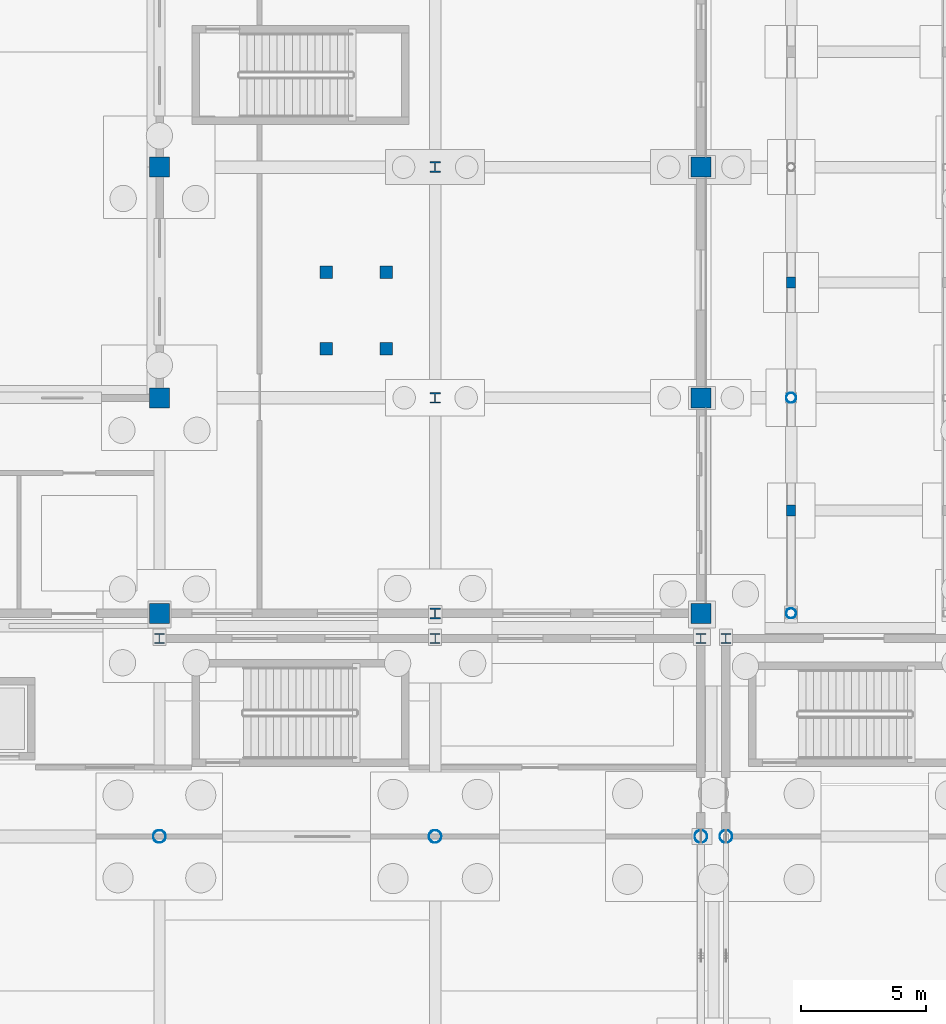
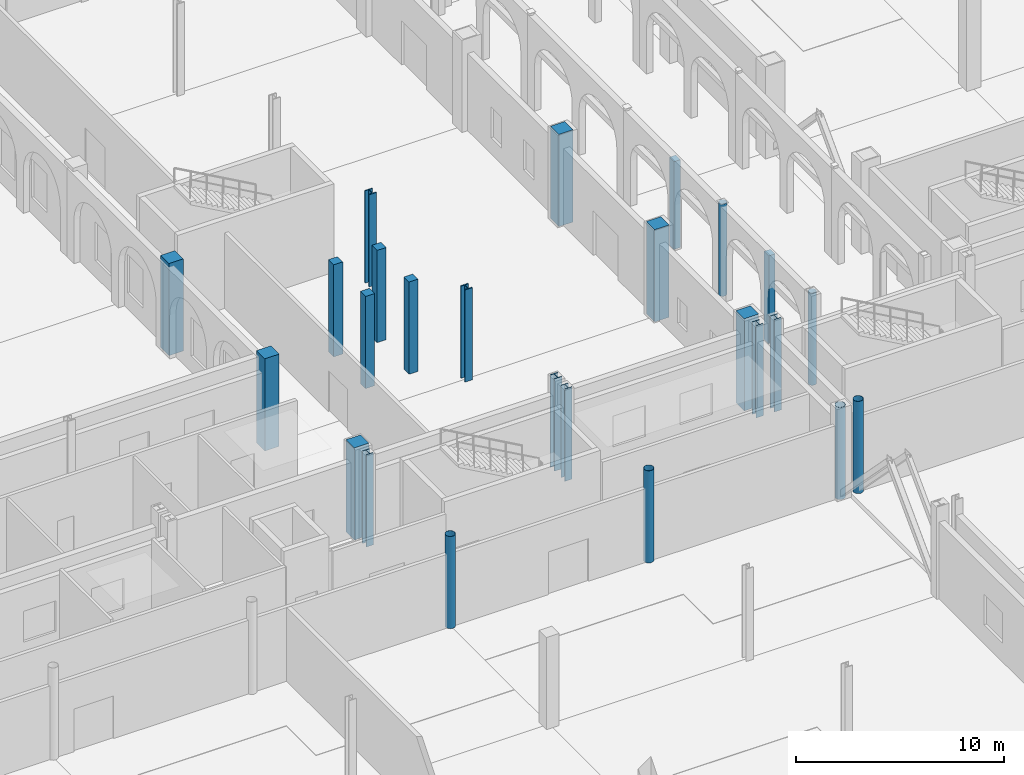
# One storey, part 22 of 83: 25 columns.
"""IFC4 building model written with IfcOpenShell, lengths in metres."""

from ifc_helpers import new_model, si_unit, direction, frame, origin, origin_2d, place, context, subcontext, project, spatial, rectangle, hollow_circle, i_section, extrude, material, material_profile, profile_set, type_object, element, save


model = new_model("IFC4")

# Units and contexts
model_context = context("Model", 3, precision=1e-05, world=origin(), true_north=direction((0.0, 1.0)))
body_context = subcontext(model_context, "Body", "Model", "MODEL_VIEW")
ifc_project = project(units=[si_unit("LENGTHUNIT", "METRE"), si_unit("AREAUNIT", "SQUARE_METRE"), si_unit("VOLUMEUNIT", "CUBIC_METRE"), si_unit("PLANEANGLEUNIT", "RADIAN"), si_unit("MASSUNIT", "GRAM", prefix="KILO")], contexts=[model_context])

# Site, building, storey
site_placement = place(None, origin())
site = spatial("IfcSite", under=ifc_project, at=site_placement, CompositionType="ELEMENT")
building_placement = place(site_placement, origin())
building = spatial("IfcBuilding", under=site, at=building_placement, Name="Caurita Quay Ferry Terminal", CompositionType="ELEMENT")
storey_placement = place(building_placement, origin())
storey = spatial("IfcBuildingStorey", under=building, at=storey_placement, Name="L00", CompositionType="ELEMENT", Elevation=0.0)

# Columns
ifc_material_1 = material(Name="Hollow structural steel ASTM A500 Gr. C", Category="steel")
ifc_material_profile_1 = material_profile(ifc_material_1, hollow_circle(Radius=0.25390625, WallThickness=0.01171875, at=origin_2d()), Name="HSS20.000X0.500")
ifc_profile_set_1 = profile_set([ifc_material_profile_1], Name="Hollow structural steel ASTM A500 Gr. C")
column_type_1 = type_object("IfcColumnType", Name="COL-MST-01", PredefinedType="COLUMN", material=ifc_profile_set_1)
for number, where, z_axis, x_axis, name in (
    (1, (66.0, 62.699951171875, 0.0), (0.0, 0.0, 1.0), (1.0, 0.0, 0.0), "L00 Column V1-MST-07-N"),
    (2, (77.0, 62.699951171875, 0.0), (0.0, 0.0, 1.0), (1.0, 0.0, 0.0), "L00 Column V1-MST-08-N"),
    (3, (87.60009765625, 62.699951171875, 0.0), (0.0, 0.0, 1.0), (1.0, 0.0, 0.0), "L00 Column V1-MST-09-N"),
    (4, (88.60009765625, 62.699951171875, 0.0), (0.0, 0.0, 1.0), (1.0, 0.0, 0.0), "L00 Column V2-MST-10-N"),
):
    element("IfcColumn", number, at=place(storey_placement, frame(where, z_axis=z_axis, x_axis=x_axis)), inside=storey, type_object=column_type_1, Name=name, PredefinedType="COLUMN", context=body_context, shape_type="SweptSolid", body=[
        extrude(hollow_circle(Radius=0.25390625, WallThickness=0.01171875, at=origin_2d()), origin(), (0.0, 0.0, 1.0), 5.39990234375),
    ])
ifc_material_profile_2 = material_profile(ifc_material_1, hollow_circle(Radius=0.203125, WallThickness=0.01171875, at=origin_2d()), Name="HSS16.000X0.500")
ifc_profile_set_2 = profile_set([ifc_material_profile_2], Name="Hollow structural steel ASTM A500 Gr. C")
column_type_2 = type_object("IfcColumnType", Name="COL-MST-02", PredefinedType="COLUMN", material=ifc_profile_set_2)
for number, where, z_axis, x_axis, name in (
    (5, (91.199951171875, 71.60009765625, 0.0), (0.0, 0.0, 1.0), (1.0, 0.0, 0.0), "L00 Column V6-W-L"),
    (6, (91.199951171875, 80.199951171875, 0.0), (0.0, 0.0, 1.0), (1.0, 0.0, 0.0), "L00 Column V6-W-M"),
):
    element("IfcColumn", number, at=place(storey_placement, frame(where, z_axis=z_axis, x_axis=x_axis)), inside=storey, type_object=column_type_2, Name=name, PredefinedType="COLUMN", context=body_context, shape_type="SweptSolid", body=[
        extrude(hollow_circle(Radius=0.203125, WallThickness=0.01171875, at=origin_2d()), origin(), (0.0, 0.0, 1.0), 5.39990234375),
    ])
ifc_material_2 = material(Name="Reinforced concrete C35/45", Category="concrete")
ifc_material_profile_3 = material_profile(ifc_material_2, rectangle(XDim=0.5, YDim=0.5, at=origin_2d()), Name="RC-COL-500X500")
ifc_profile_set_3 = profile_set([ifc_material_profile_3], Name="Reinforced concrete C35/45")
column_type_3 = type_object("IfcColumnType", Name="COL-RC-500", PredefinedType="COLUMN", material=ifc_profile_set_3)
for number, where, z_axis, x_axis, name in (
    (7, (72.64990234375, 82.14990234375, 0.0), (0.0, 0.0, 1.0), (1.0, 0.0, 0.0), "L00 Promenade Stair ST-14 Column SW"),
    (8, (72.64990234375, 85.2099609375, 0.0), (0.0, 0.0, 1.0), (1.0, 0.0, 0.0), "L00 Promenade Stair ST-14 Column NW"),
    (9, (75.050048828125, 82.14990234375, 0.0), (0.0, 0.0, 1.0), (1.0, 0.0, 0.0), "L00 Promenade Stair ST-14 Column SE"),
    (10, (75.050048828125, 85.2099609375, 0.0), (0.0, 0.0, 1.0), (1.0, 0.0, 0.0), "L00 Promenade Stair ST-14 Column NE"),
):
    element("IfcColumn", number, at=place(storey_placement, frame(where, z_axis=z_axis, x_axis=x_axis)), inside=storey, type_object=column_type_3, Name=name, PredefinedType="COLUMN", context=body_context, shape_type="SweptSolid", body=[
        extrude(rectangle(XDim=0.5, YDim=0.5, at=origin_2d()), origin(), (0.0, 0.0, 1.0), 5.39990234375),
    ])
ifc_material_3 = material(Name="Marine reinforced concrete C40/50", Category="concrete")
ifc_material_profile_4 = material_profile(ifc_material_3, rectangle(XDim=0.800048828125, YDim=0.800048828125, at=origin_2d()), Name="RC-COL-800X800")
ifc_profile_set_4 = profile_set([ifc_material_profile_4], Name="Marine reinforced concrete C40/50")
column_type_4 = type_object("IfcColumnType", Name="COL-RC-800", PredefinedType="COLUMN", material=ifc_profile_set_4)
for number, where, z_axis, x_axis, name in (
    (11, (66.0, 71.60009765625, 0.0), (0.0, 0.0, 1.0), (1.0, 0.0, 0.0), "L00 Column V5-07-L"),
    (12, (66.0, 80.199951171875, 0.0), (0.0, 0.0, 1.0), (1.0, 0.0, 0.0), "L00 Column V5-07-M"),
    (13, (66.0, 89.39990234375, 0.0), (0.0, 0.0, 1.0), (1.0, 0.0, 0.0), "L00 Column V5-07-N"),
    (14, (87.60009765625, 71.60009765625, 0.0), (0.0, 0.0, 1.0), (1.0, 0.0, 0.0), "L00 Column V5-09-L"),
    (15, (87.60009765625, 80.199951171875, 0.0), (0.0, 0.0, 1.0), (1.0, 0.0, 0.0), "L00 Column V5-09-M"),
    (16, (87.60009765625, 89.39990234375, 0.0), (0.0, 0.0, 1.0), (1.0, 0.0, 0.0), "L00 Column V5-09-N"),
):
    element("IfcColumn", number, at=place(storey_placement, frame(where, z_axis=z_axis, x_axis=x_axis)), inside=storey, type_object=column_type_4, Name=name, PredefinedType="COLUMN", context=body_context, shape_type="SweptSolid", body=[
        extrude(rectangle(XDim=0.800048828125, YDim=0.800048828125, at=origin_2d()), origin(), (0.0, 0.0, 1.0), 5.39990234375),
    ])
ifc_material_4 = material(Name="Structural steel ASTM A992 Gr. 50", Category="steel")
ifc_material_profile_5 = material_profile(ifc_material_4, i_section(OverallWidth=0.410888671875, OverallDepth=0.43408203125, WebThickness=0.035888671875, FlangeThickness=0.057373046875, at=origin_2d()), Name="W14X311")
ifc_profile_set_5 = profile_set([ifc_material_profile_5], Name="Structural steel ASTM A992 Gr. 50")
column_type_5 = type_object("IfcColumnType", Name="COL-STL-01", PredefinedType="COLUMN", material=ifc_profile_set_5)
for number, where, z_axis, x_axis, name in (
    (17, (77.0, 71.60009765625, 0.0), (0.0, 0.0, 1.0), (1.0, 0.0, 0.0), "L00 Column V5-08-L"),
    (18, (77.0, 80.199951171875, 0.0), (0.0, 0.0, 1.0), (1.0, 0.0, 0.0), "L00 Column V5-08-M"),
    (19, (77.0, 89.39990234375, 0.0), (0.0, 0.0, 1.0), (1.0, 0.0, 0.0), "L00 Column V5-08-N"),
):
    element("IfcColumn", number, at=place(storey_placement, frame(where, z_axis=z_axis, x_axis=x_axis)), inside=storey, type_object=column_type_5, Name=name, PredefinedType="COLUMN", context=body_context, shape_type="SweptSolid", body=[
        extrude(i_section(OverallWidth=0.410888671875, OverallDepth=0.43408203125, WebThickness=0.035888671875, FlangeThickness=0.057373046875, at=origin_2d()), origin(), (0.0, 0.0, 1.0), 5.39990234375),
    ])
ifc_material_profile_6 = material_profile(ifc_material_4, i_section(OverallWidth=0.398681640625, OverallDepth=0.393798828125, WebThickness=0.022705078125, FlangeThickness=0.03662109375, FilletRadius=0.017822265625, at=origin_2d()), Name="W14X193")
ifc_profile_set_6 = profile_set([ifc_material_profile_6], Name="Structural steel ASTM A992 Gr. 50")
column_type_6 = type_object("IfcColumnType", Name="COL-STL-04", PredefinedType="COLUMN", material=ifc_profile_set_6)
for number, where, z_axis, x_axis, name in (
    (20, (66.0, 70.60009765625, 0.0), (0.0, 0.0, 1.0), (1.0, 0.0, 0.0), "L00 Column V1-NTH-07-K"),
    (21, (77.0, 70.60009765625, 0.0), (0.0, 0.0, 1.0), (1.0, 0.0, 0.0), "L00 Column V1-NTH-08-K"),
    (22, (87.60009765625, 70.60009765625, 0.0), (0.0, 0.0, 1.0), (1.0, 0.0, 0.0), "L00 Column V1-NTH-09-K"),
    (23, (88.60009765625, 70.60009765625, 0.0), (0.0, 0.0, 1.0), (1.0, 0.0, 0.0), "L00 Column V2-NTH-10-K"),
):
    element("IfcColumn", number, at=place(storey_placement, frame(where, z_axis=z_axis, x_axis=x_axis)), inside=storey, type_object=column_type_6, Name=name, PredefinedType="COLUMN", context=body_context, shape_type="SweptSolid", body=[
        extrude(i_section(OverallWidth=0.398681640625, OverallDepth=0.393798828125, WebThickness=0.022705078125, FlangeThickness=0.03662109375, FilletRadius=0.017822265625, at=origin_2d()), origin(), (0.0, 0.0, 1.0), 5.39990234375),
    ])
ifc_material_profile_7 = material_profile(ifc_material_2, rectangle(XDim=0.35009765625, YDim=0.449951171875, at=origin_2d()), Name="RC-PIL-450X350")
ifc_profile_set_7 = profile_set([ifc_material_profile_7], Name="Reinforced concrete C35/45")
column_type_7 = type_object("IfcColumnType", Name="PIL-RC-4535", PredefinedType="PILASTER", material=ifc_profile_set_7)
for number, where, z_axis, x_axis, name in (
    (24, (91.199951171875, 75.699951171875, 0.0), (0.0, 0.0, 1.0), (1.0, 0.0, 0.0), "L00 Portico Arcade Pilaster PIL-01"),
    (25, (91.199951171875, 84.800048828125, 0.0), (0.0, 0.0, 1.0), (1.0, 0.0, 0.0), "L00 Portico Arcade Pilaster PIL-02"),
):
    element("IfcColumn", number, at=place(storey_placement, frame(where, z_axis=z_axis, x_axis=x_axis)), inside=storey, type_object=column_type_7, Name=name, PredefinedType="PILASTER", context=body_context, shape_type="SweptSolid", body=[
        extrude(rectangle(XDim=0.35009765625, YDim=0.449951171875, at=origin_2d()), origin(), (0.0, 0.0, 1.0), 5.14990234375),
    ])

save(model, "model.ifc")
